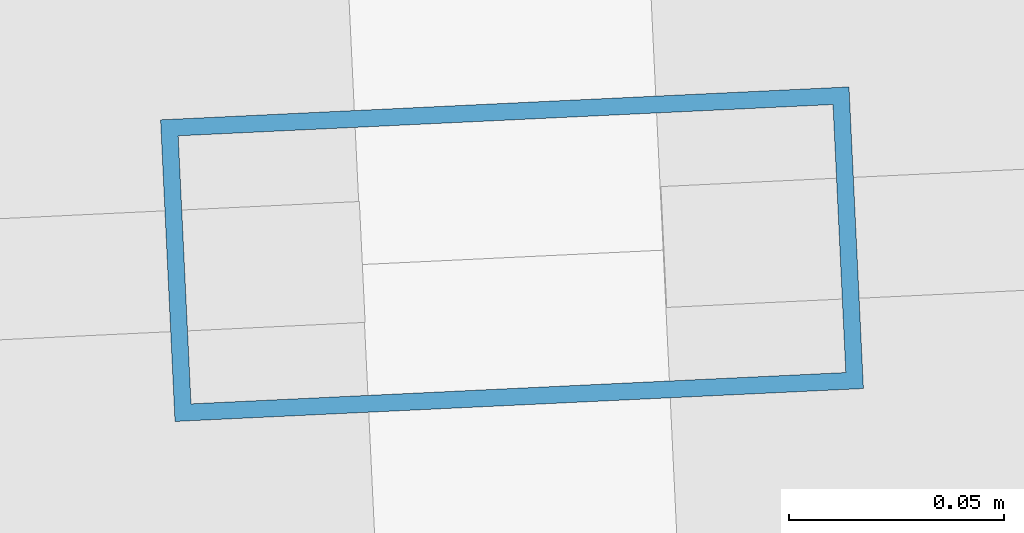
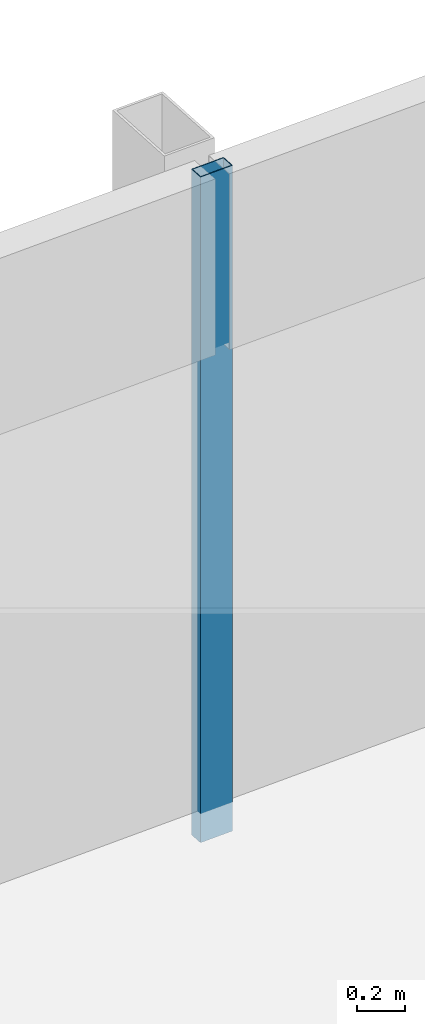
# One storey, part 17 of 34: 1 member, 1 element without a shape of its own.
"""IFC4 building model written with IfcOpenShell, lengths in metres."""

from ifc_helpers import new_model, si_unit, direction, frame, origin, origin_2d, place, context, subcontext, project, spatial, hollow_rectangle, extrude, material, material_profile, profile_set, type_object, element, aggregate, save


model = new_model("IFC4")

# Units and contexts
model_context = context("Model", 3, precision=1e-05, world=origin(), true_north=direction((0.0, 1.0)))
body_context = subcontext(model_context, "Body", "Model", "MODEL_VIEW")
ifc_project = project(units=[si_unit("LENGTHUNIT", "METRE"), si_unit("AREAUNIT", "SQUARE_METRE"), si_unit("VOLUMEUNIT", "CUBIC_METRE"), si_unit("PLANEANGLEUNIT", "RADIAN"), si_unit("MASSUNIT", "GRAM", prefix="KILO")], contexts=[model_context])

# Site, building, storey
site_placement = place(None, origin())
site = spatial("IfcSite", under=ifc_project, at=site_placement, CompositionType="ELEMENT")
building_placement = place(site_placement, origin())
building = spatial("IfcBuilding", under=site, at=building_placement, Name="Rekha Terrace Tower", CompositionType="ELEMENT")
storey_placement = place(building_placement, frame((0.0, 0.0, 236.449951171875)))
storey = spatial("IfcBuildingStorey", under=building, at=storey_placement, Name="L60", CompositionType="ELEMENT", Elevation=236.449951171875)

# Curtain wall, member
ifc_material_1 = material(Name="Aluminium framing", Category="aluminium")
curtain_wall_type = type_object("IfcCurtainWallType", Name="CW3 north unitised glazing", PredefinedType="USERDEFINED", material=ifc_material_1)
curtain_wall_placement = place(storey_placement, origin())
curtain_wall = element("IfcCurtainWall", 1, at=curtain_wall_placement, inside=storey, type_object=curtain_wall_type, Name="CW3 unitised curtain wall", ObjectType="UNITISED CURTAIN WALL", PredefinedType="USERDEFINED")
ifc_material_2 = material(Name="Aluminium mullion section", Category="aluminium")
ifc_material_profile = material_profile(ifc_material_2, hollow_rectangle(XDim=0.070068359375, YDim=0.159912109375, WallThickness=0.00390625, at=origin_2d()), Name="AL RHS 70x160")
ifc_profile_set = profile_set([ifc_material_profile], Name="Aluminium mullion section")
member_type = type_object("IfcMemberType", Name="CW3 mullion RHS 70 x 160", PredefinedType="MULLION", material=ifc_profile_set)
member_placement = place(storey_placement, frame((38.570068359375, 61.771240234375, 0.0), z_axis=(0.0, 0.0, 1.0), x_axis=(0.047758616983, -0.998858906204, 0.0)))
member = element("IfcMember", 2, at=member_placement, type_object=member_type, Name="CW3 mullion 2", PredefinedType="MULLION", context=body_context, shape_type="SweptSolid", body=[
    extrude(hollow_rectangle(XDim=0.070068359375, YDim=0.159912109375, WallThickness=0.00390625, at=origin_2d()), origin(), (0.0, 0.0, 1.0), 3.400146484375),
])
aggregate(curtain_wall, [member])

save(model, "model.ifc")
